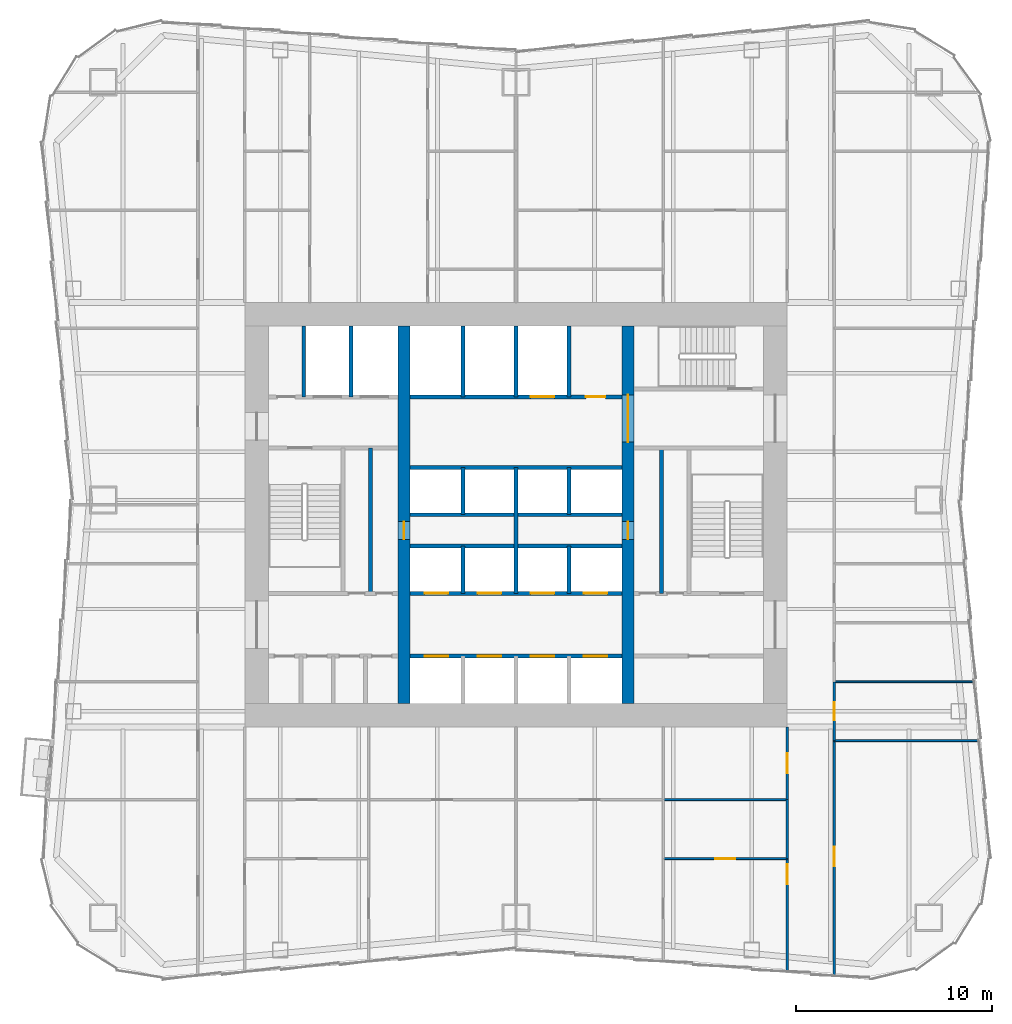
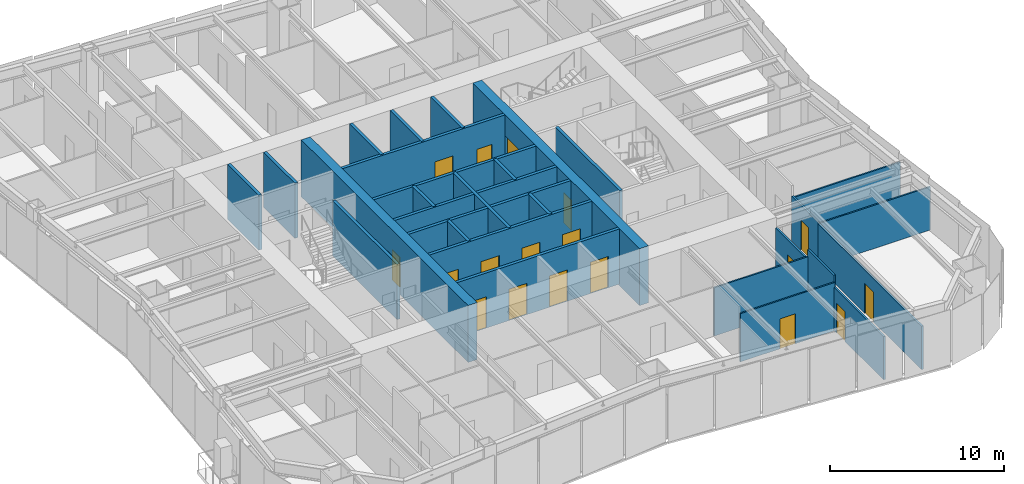
# One storey, part 5 of 9: 29 walls, 18 doors, 18 openings.
"""IFC4 building model written with IfcOpenShell, lengths in metres."""

from ifc_helpers import new_model, si_unit, direction, frame, frame_2d, origin, place, context, subcontext, project, spatial, rectangle, extrude, material, layer, layer_set, type_object, element, fill, save


model = new_model("IFC4")

# Units and contexts
model_context = context("Model", 3, precision=1e-05, world=origin(), true_north=direction((0.0, 1.0)))
body_context = subcontext(model_context, "Body", "Model", "MODEL_VIEW")
ifc_project = project(units=[si_unit("LENGTHUNIT", "METRE"), si_unit("AREAUNIT", "SQUARE_METRE"), si_unit("VOLUMEUNIT", "CUBIC_METRE"), si_unit("PLANEANGLEUNIT", "RADIAN"), si_unit("MASSUNIT", "GRAM", prefix="KILO")], contexts=[model_context])

# Site, building, storey
site_placement = place(None, origin())
site = spatial("IfcSite", under=ifc_project, at=site_placement, CompositionType="ELEMENT")
building_placement = place(site_placement, origin())
building = spatial("IfcBuilding", under=site, at=building_placement, Name="Verdant Reach Tower", CompositionType="ELEMENT")
storey_placement = place(building_placement, frame((0.0, 0.0, 78.0)))
storey = spatial("IfcBuildingStorey", under=building, at=storey_placement, Name="L17", CompositionType="ELEMENT", Elevation=78.0)

# Walls
ifc_material_1 = material(Name="Gypsum board on steel studs", Category="steel")
ifc_layer_1 = layer(ifc_material_1, 0.199951171875)
ifc_layer_set_1 = layer_set([ifc_layer_1], Name="CO-WALL-ROOM")
wall_type_1 = type_object("IfcWallType", Name="CO-WALL-ROOM", PredefinedType="PARTITIONING", material=ifc_layer_set_1)
for number, where, z_axis, x_axis, name in (
    (1, (-7.39990234375, 24.0, 0.0), (0.0, 0.0, 1.0), (0.0, 1.0, 0.0), "Core partition, L17"),
    (2, (7.39990234375, 24.0, 0.0), (0.0, 0.0, 1.0), (0.0, 1.0, 0.0), "Core partition, L17"),
):
    element("IfcWall", number, at=place(storey_placement, frame(where, z_axis=z_axis, x_axis=x_axis)), inside=storey, type_object=wall_type_1, Name=name, PredefinedType="PARTITIONING", context=body_context, shape_type="SweptSolid", body=[
        extrude(rectangle(XDim=7.39990234375, YDim=0.199951171875, at=frame_2d((3.699951171875, 0.0))), origin(), (0.0, 0.0, 1.0), 3.8701171875),
    ])

# Wall, openings, doors
ifc_material_2 = material(Name="Concrete C40/50", Category="concrete")
ifc_layer_2 = layer(ifc_material_2, 0.199951171875)
ifc_layer_set_2 = layer_set([ifc_layer_2], Name="CO-WALL-SHAFT")
wall_type_2 = type_object("IfcWallType", Name="CO-WALL-SHAFT", PredefinedType="PARTITIONING", material=ifc_layer_set_2)
wall_1_placement = place(storey_placement, frame((-5.39990234375, 20.800048828125, 0.0), z_axis=(0.0, 0.0, 1.0), x_axis=(1.0, 0.0, 0.0)))
wall_1 = element("IfcWall", 3, at=wall_1_placement, inside=storey, type_object=wall_type_2, Name="Lift shaft wall, L17", PredefinedType="PARTITIONING", context=body_context, shape_type="SweptSolid", body=[
    extrude(rectangle(XDim=10.7998046875, YDim=0.199951171875, at=frame_2d((5.39990234375, 0.0))), origin(), (0.0, 0.0, 1.0), 3.8701171875),
])
opening_1_placement = place(wall_1_placement, frame((0.75, 0.0, 0.0)))
opening_1 = element("IfcOpeningElement", 4, at=opening_1_placement, cuts=wall_1, Name="Opening LD-A1", PredefinedType="OPENING", context=body_context, shape_type="SweptSolid", body=[
    extrude(rectangle(XDim=1.199951171875, YDim=2.199951171875, at=frame_2d((0.60009765625, 1.10009765625))), frame((0.0, 0.10986328125, 0.0), z_axis=(0.0, -1.0, 0.0), x_axis=(1.0, 0.0, 0.0)), (0.0, 0.0, 1.0), 0.219970703125),
])
opening_2_placement = place(wall_1_placement, frame((3.449951171875, 0.0, 0.0)))
opening_2 = element("IfcOpeningElement", 5, at=opening_2_placement, cuts=wall_1, Name="Opening LD-A2", PredefinedType="OPENING", context=body_context, shape_type="SweptSolid", body=[
    extrude(rectangle(XDim=1.199951171875, YDim=2.199951171875, at=frame_2d((0.60009765625, 1.10009765625))), frame((0.0, 0.10986328125, 0.0), z_axis=(0.0, -1.0, 0.0), x_axis=(1.0, 0.0, 0.0)), (0.0, 0.0, 1.0), 0.219970703125),
])
opening_3_placement = place(wall_1_placement, frame((6.14990234375, 0.0, 0.0)))
opening_3 = element("IfcOpeningElement", 6, at=opening_3_placement, cuts=wall_1, Name="Opening LD-A3", PredefinedType="OPENING", context=body_context, shape_type="SweptSolid", body=[
    extrude(rectangle(XDim=1.199951171875, YDim=2.199951171875, at=frame_2d((0.60009765625, 1.10009765625))), frame((0.0, 0.10986328125, 0.0), z_axis=(0.0, -1.0, 0.0), x_axis=(1.0, 0.0, 0.0)), (0.0, 0.0, 1.0), 0.219970703125),
])
opening_4_placement = place(wall_1_placement, frame((8.85009765625, 0.0, 0.0)))
opening_4 = element("IfcOpeningElement", 7, at=opening_4_placement, cuts=wall_1, Name="Opening LD-A4", PredefinedType="OPENING", context=body_context, shape_type="SweptSolid", body=[
    extrude(rectangle(XDim=1.199951171875, YDim=2.199951171875, at=frame_2d((0.60009765625, 1.10009765625))), frame((0.0, 0.10986328125, 0.0), z_axis=(0.0, -1.0, 0.0), x_axis=(1.0, 0.0, 0.0)), (0.0, 0.0, 1.0), 0.219970703125),
])
ifc_material_3 = material(Name="Stainless steel", Category="steel")
door_type_1 = type_object("IfcDoorType", Name="CO-DOOR-LANDING", OperationType="SLIDING_TO_LEFT", PredefinedType="DOOR", material=ifc_material_3)
door_1_placement = place(opening_1_placement, origin())
door_1 = element("IfcDoor", 8, at=door_1_placement, inside=storey, type_object=door_type_1, Name="Landing door A1, L17", OperationType="SLIDING_TO_LEFT", OverallHeight=2.199951171875, OverallWidth=1.199951171875, PredefinedType="DOOR", context=body_context, shape_type="SweptSolid", body=[
    extrude(rectangle(XDim=1.199951171875, YDim=2.199951171875, at=frame_2d((0.60009765625, 1.10009765625))), frame((0.0, 0.02490234375, 0.0), z_axis=(0.0, -1.0, 0.0), x_axis=(1.0, 0.0, 0.0)), (0.0, 0.0, 1.0), 0.050048828125),
])
fill(opening_1, door_1)
door_2_placement = place(opening_2_placement, origin())
door_2 = element("IfcDoor", 9, at=door_2_placement, inside=storey, type_object=door_type_1, Name="Landing door A2, L17", OperationType="SLIDING_TO_LEFT", OverallHeight=2.199951171875, OverallWidth=1.199951171875, PredefinedType="DOOR", context=body_context, shape_type="SweptSolid", body=[
    extrude(rectangle(XDim=1.199951171875, YDim=2.199951171875, at=frame_2d((0.60009765625, 1.10009765625))), frame((0.0, 0.02490234375, 0.0), z_axis=(0.0, -1.0, 0.0), x_axis=(1.0, 0.0, 0.0)), (0.0, 0.0, 1.0), 0.050048828125),
])
fill(opening_2, door_2)
door_3_placement = place(opening_3_placement, origin())
door_3 = element("IfcDoor", 10, at=door_3_placement, inside=storey, type_object=door_type_1, Name="Landing door A3, L17", OperationType="SLIDING_TO_LEFT", OverallHeight=2.199951171875, OverallWidth=1.199951171875, PredefinedType="DOOR", context=body_context, shape_type="SweptSolid", body=[
    extrude(rectangle(XDim=1.199951171875, YDim=2.199951171875, at=frame_2d((0.60009765625, 1.10009765625))), frame((0.0, 0.02490234375, 0.0), z_axis=(0.0, -1.0, 0.0), x_axis=(1.0, 0.0, 0.0)), (0.0, 0.0, 1.0), 0.050048828125),
])
fill(opening_3, door_3)
door_4_placement = place(opening_4_placement, origin())
door_4 = element("IfcDoor", 11, at=door_4_placement, inside=storey, type_object=door_type_1, Name="Landing door A4, L17", OperationType="SLIDING_TO_LEFT", OverallHeight=2.199951171875, OverallWidth=1.199951171875, PredefinedType="DOOR", context=body_context, shape_type="SweptSolid", body=[
    extrude(rectangle(XDim=1.199951171875, YDim=2.199951171875, at=frame_2d((0.60009765625, 1.10009765625))), frame((0.0, 0.02490234375, 0.0), z_axis=(0.0, -1.0, 0.0), x_axis=(1.0, 0.0, 0.0)), (0.0, 0.0, 1.0), 0.050048828125),
])
fill(opening_4, door_4)

wall_2_placement = place(storey_placement, frame((-5.39990234375, 24.0, 0.0), z_axis=(0.0, 0.0, 1.0), x_axis=(1.0, 0.0, 0.0)))
wall_2 = element("IfcWall", 12, at=wall_2_placement, inside=storey, type_object=wall_type_2, Name="Lift shaft wall, L17", PredefinedType="PARTITIONING", context=body_context, shape_type="SweptSolid", body=[
    extrude(rectangle(XDim=10.7998046875, YDim=0.199951171875, at=frame_2d((5.39990234375, 0.0))), origin(), (0.0, 0.0, 1.0), 3.8701171875),
])
opening_5_placement = place(wall_2_placement, frame((0.75, 0.0, 0.0)))
opening_5 = element("IfcOpeningElement", 13, at=opening_5_placement, cuts=wall_2, Name="Opening LD-A5", PredefinedType="OPENING", context=body_context, shape_type="SweptSolid", body=[
    extrude(rectangle(XDim=1.199951171875, YDim=2.199951171875, at=frame_2d((0.60009765625, 1.10009765625))), frame((0.0, 0.10986328125, 0.0), z_axis=(0.0, -1.0, 0.0), x_axis=(1.0, 0.0, 0.0)), (0.0, 0.0, 1.0), 0.219970703125),
])
opening_6_placement = place(wall_2_placement, frame((3.449951171875, 0.0, 0.0)))
opening_6 = element("IfcOpeningElement", 14, at=opening_6_placement, cuts=wall_2, Name="Opening LD-A6", PredefinedType="OPENING", context=body_context, shape_type="SweptSolid", body=[
    extrude(rectangle(XDim=1.199951171875, YDim=2.199951171875, at=frame_2d((0.60009765625, 1.10009765625))), frame((0.0, 0.10986328125, 0.0), z_axis=(0.0, -1.0, 0.0), x_axis=(1.0, 0.0, 0.0)), (0.0, 0.0, 1.0), 0.219970703125),
])
opening_7_placement = place(wall_2_placement, frame((6.14990234375, 0.0, 0.0)))
opening_7 = element("IfcOpeningElement", 15, at=opening_7_placement, cuts=wall_2, Name="Opening LD-A7", PredefinedType="OPENING", context=body_context, shape_type="SweptSolid", body=[
    extrude(rectangle(XDim=1.199951171875, YDim=2.199951171875, at=frame_2d((0.60009765625, 1.10009765625))), frame((0.0, 0.10986328125, 0.0), z_axis=(0.0, -1.0, 0.0), x_axis=(1.0, 0.0, 0.0)), (0.0, 0.0, 1.0), 0.219970703125),
])
opening_8_placement = place(wall_2_placement, frame((8.85009765625, 0.0, 0.0)))
opening_8 = element("IfcOpeningElement", 16, at=opening_8_placement, cuts=wall_2, Name="Opening LD-A8", PredefinedType="OPENING", context=body_context, shape_type="SweptSolid", body=[
    extrude(rectangle(XDim=1.199951171875, YDim=2.199951171875, at=frame_2d((0.60009765625, 1.10009765625))), frame((0.0, 0.10986328125, 0.0), z_axis=(0.0, -1.0, 0.0), x_axis=(1.0, 0.0, 0.0)), (0.0, 0.0, 1.0), 0.219970703125),
])
door_5_placement = place(opening_5_placement, origin())
door_5 = element("IfcDoor", 17, at=door_5_placement, inside=storey, type_object=door_type_1, Name="Landing door A5, L17", OperationType="SLIDING_TO_LEFT", OverallHeight=2.199951171875, OverallWidth=1.199951171875, PredefinedType="DOOR", context=body_context, shape_type="SweptSolid", body=[
    extrude(rectangle(XDim=1.199951171875, YDim=2.199951171875, at=frame_2d((0.60009765625, 1.10009765625))), frame((0.0, 0.02490234375, 0.0), z_axis=(0.0, -1.0, 0.0), x_axis=(1.0, 0.0, 0.0)), (0.0, 0.0, 1.0), 0.050048828125),
])
fill(opening_5, door_5)
door_6_placement = place(opening_6_placement, origin())
door_6 = element("IfcDoor", 18, at=door_6_placement, inside=storey, type_object=door_type_1, Name="Landing door A6, L17", OperationType="SLIDING_TO_LEFT", OverallHeight=2.199951171875, OverallWidth=1.199951171875, PredefinedType="DOOR", context=body_context, shape_type="SweptSolid", body=[
    extrude(rectangle(XDim=1.199951171875, YDim=2.199951171875, at=frame_2d((0.60009765625, 1.10009765625))), frame((0.0, 0.02490234375, 0.0), z_axis=(0.0, -1.0, 0.0), x_axis=(1.0, 0.0, 0.0)), (0.0, 0.0, 1.0), 0.050048828125),
])
fill(opening_6, door_6)
door_7_placement = place(opening_7_placement, origin())
door_7 = element("IfcDoor", 19, at=door_7_placement, inside=storey, type_object=door_type_1, Name="Landing door A7, L17", OperationType="SLIDING_TO_LEFT", OverallHeight=2.199951171875, OverallWidth=1.199951171875, PredefinedType="DOOR", context=body_context, shape_type="SweptSolid", body=[
    extrude(rectangle(XDim=1.199951171875, YDim=2.199951171875, at=frame_2d((0.60009765625, 1.10009765625))), frame((0.0, 0.02490234375, 0.0), z_axis=(0.0, -1.0, 0.0), x_axis=(1.0, 0.0, 0.0)), (0.0, 0.0, 1.0), 0.050048828125),
])
fill(opening_7, door_7)
door_8_placement = place(opening_8_placement, origin())
door_8 = element("IfcDoor", 20, at=door_8_placement, inside=storey, type_object=door_type_1, Name="Landing door A8, L17", OperationType="SLIDING_TO_LEFT", OverallHeight=2.199951171875, OverallWidth=1.199951171875, PredefinedType="DOOR", context=body_context, shape_type="SweptSolid", body=[
    extrude(rectangle(XDim=1.199951171875, YDim=2.199951171875, at=frame_2d((0.60009765625, 1.10009765625))), frame((0.0, 0.02490234375, 0.0), z_axis=(0.0, -1.0, 0.0), x_axis=(1.0, 0.0, 0.0)), (0.0, 0.0, 1.0), 0.050048828125),
])
fill(opening_8, door_8)

# Walls
for number, where, z_axis, x_axis, name in (
    (21, (-5.39990234375, 26.39990234375, 0.0), (0.0, 0.0, 1.0), (1.0, 0.0, 0.0), "Lift shaft wall, L17"),
    (22, (-5.39990234375, 28.0, 0.0), (0.0, 0.0, 1.0), (1.0, 0.0, 0.0), "Lift shaft wall, L17"),
    (23, (-5.39990234375, 30.39990234375, 0.0), (0.0, 0.0, 1.0), (1.0, 0.0, 0.0), "Lift shaft wall, L17"),
):
    element("IfcWall", number, at=place(storey_placement, frame(where, z_axis=z_axis, x_axis=x_axis)), inside=storey, type_object=wall_type_2, Name=name, PredefinedType="PARTITIONING", context=body_context, shape_type="SweptSolid", body=[
        extrude(rectangle(XDim=10.7998046875, YDim=0.199951171875, at=frame_2d((5.39990234375, 0.0))), origin(), (0.0, 0.0, 1.0), 3.8701171875),
    ])

# Wall, openings, doors
wall_3_placement = place(storey_placement, frame((-5.39990234375, 34.0, 0.0), z_axis=(0.0, 0.0, 1.0), x_axis=(1.0, 0.0, 0.0)))
wall_3 = element("IfcWall", 24, at=wall_3_placement, inside=storey, type_object=wall_type_2, Name="Lift shaft wall, L17", PredefinedType="PARTITIONING", context=body_context, shape_type="SweptSolid", body=[
    extrude(rectangle(XDim=10.7998046875, YDim=0.199951171875, at=frame_2d((5.39990234375, 0.0))), origin(), (0.0, 0.0, 1.0), 3.8701171875),
])
opening_9_placement = place(wall_3_placement, frame((6.14990234375, 0.0, 0.0)))
opening_9 = element("IfcOpeningElement", 25, at=opening_9_placement, cuts=wall_3, Name="Opening LD-SL1", PredefinedType="OPENING", context=body_context, shape_type="SweptSolid", body=[
    extrude(rectangle(XDim=1.199951171875, YDim=2.199951171875, at=frame_2d((0.60009765625, 1.10009765625))), frame((0.0, 0.10986328125, 0.0), z_axis=(0.0, -1.0, 0.0), x_axis=(1.0, 0.0, 0.0)), (0.0, 0.0, 1.0), 0.219970703125),
])
opening_10_placement = place(wall_3_placement, frame((8.949951171875, 0.0, 0.0)))
opening_10 = element("IfcOpeningElement", 26, at=opening_10_placement, cuts=wall_3, Name="Opening CD", PredefinedType="OPENING", context=body_context, shape_type="SweptSolid", body=[
    extrude(rectangle(XDim=1.0, YDim=2.10009765625, at=frame_2d((0.5, 1.050048828125))), frame((0.0, 0.10986328125, 0.0), z_axis=(0.0, -1.0, 0.0), x_axis=(1.0, 0.0, 0.0)), (0.0, 0.0, 1.0), 0.219970703125),
])
door_9_placement = place(opening_9_placement, origin())
door_9 = element("IfcDoor", 27, at=door_9_placement, inside=storey, type_object=door_type_1, Name="Landing door SL1, L17", OperationType="SLIDING_TO_LEFT", OverallHeight=2.199951171875, OverallWidth=1.199951171875, PredefinedType="DOOR", context=body_context, shape_type="SweptSolid", body=[
    extrude(rectangle(XDim=1.199951171875, YDim=2.199951171875, at=frame_2d((0.60009765625, 1.10009765625))), frame((0.0, 0.02490234375, 0.0), z_axis=(0.0, -1.0, 0.0), x_axis=(1.0, 0.0, 0.0)), (0.0, 0.0, 1.0), 0.050048828125),
])
fill(opening_9, door_9)
ifc_material_4 = material(Name="Timber", Category="wood")
door_type_2 = type_object("IfcDoorType", Name="CO-DOOR-ROOM", OperationType="NOTDEFINED", PredefinedType="DOOR", material=ifc_material_4)
door_10_placement = place(opening_10_placement, origin())
door_10 = element("IfcDoor", 28, at=door_10_placement, inside=storey, type_object=door_type_2, Name="Core room door, L17", OperationType="SINGLE_SWING_LEFT", OverallHeight=2.10009765625, OverallWidth=1.0, PredefinedType="DOOR", context=body_context, shape_type="SweptSolid", body=[
    extrude(rectangle(XDim=1.0, YDim=2.10009765625, at=frame_2d((0.5, 1.050048828125))), frame((0.0, 0.02490234375, 0.0), z_axis=(0.0, -1.0, 0.0), x_axis=(1.0, 0.0, 0.0)), (0.0, 0.0, 1.0), 0.050048828125),
])
fill(opening_10, door_10)

# Walls
for number, where, z_axis, x_axis, name in (
    (29, (-10.800048828125, 34.0, 0.0), (0.0, 0.0, 1.0), (0.0, 1.0, 0.0), "Lift shaft wall, L17"),
    (30, (-8.39990234375, 34.0, 0.0), (0.0, 0.0, 1.0), (0.0, 1.0, 0.0), "Lift shaft wall, L17"),
):
    element("IfcWall", number, at=place(storey_placement, frame(where, z_axis=z_axis, x_axis=x_axis)), inside=storey, type_object=wall_type_2, Name=name, PredefinedType="PARTITIONING", context=body_context, shape_type="SweptSolid", body=[
        extrude(rectangle(XDim=3.60009765625, YDim=0.199951171875, at=frame_2d((1.800048828125, 0.0))), origin(), (0.0, 0.0, 1.0), 3.8701171875),
    ])
for number, where, z_axis, x_axis, name in (
    (31, (-2.699951171875, 24.0, 0.0), (0.0, 0.0, 1.0), (0.0, 1.0, 0.0), "Lift shaft wall, L17"),
    (32, (-2.699951171875, 28.0, 0.0), (0.0, 0.0, 1.0), (0.0, 1.0, 0.0), "Lift shaft wall, L17"),
):
    element("IfcWall", number, at=place(storey_placement, frame(where, z_axis=z_axis, x_axis=x_axis)), inside=storey, type_object=wall_type_2, Name=name, PredefinedType="PARTITIONING", context=body_context, shape_type="SweptSolid", body=[
        extrude(rectangle(XDim=2.39990234375, YDim=0.199951171875, at=frame_2d((1.199951171875, 0.0))), origin(), (0.0, 0.0, 1.0), 3.8701171875),
    ])
wall_4_placement = place(storey_placement, frame((-2.699951171875, 34.0, 0.0), z_axis=(0.0, 0.0, 1.0), x_axis=(0.0, 1.0, 0.0)))
element("IfcWall", 33, at=wall_4_placement, inside=storey, type_object=wall_type_2, Name="Lift shaft wall, L17", PredefinedType="PARTITIONING", context=body_context, shape_type="SweptSolid", body=[
    extrude(rectangle(XDim=3.60009765625, YDim=0.199951171875, at=frame_2d((1.800048828125, 0.0))), origin(), (0.0, 0.0, 1.0), 3.8701171875),
])
wall_5_placement = place(storey_placement, frame((0.0, 24.0, 0.0), z_axis=(0.0, 0.0, 1.0), x_axis=(0.0, 1.0, 0.0)))
element("IfcWall", 34, at=wall_5_placement, inside=storey, type_object=wall_type_2, Name="Lift shaft wall, L17", PredefinedType="PARTITIONING", context=body_context, shape_type="SweptSolid", body=[
    extrude(rectangle(XDim=6.39990234375, YDim=0.199951171875, at=frame_2d((3.199951171875, 0.0))), origin(), (0.0, 0.0, 1.0), 3.8701171875),
])
wall_6_placement = place(storey_placement, frame((0.0, 34.0, 0.0), z_axis=(0.0, 0.0, 1.0), x_axis=(0.0, 1.0, 0.0)))
element("IfcWall", 35, at=wall_6_placement, inside=storey, type_object=wall_type_2, Name="Lift shaft wall, L17", PredefinedType="PARTITIONING", context=body_context, shape_type="SweptSolid", body=[
    extrude(rectangle(XDim=3.60009765625, YDim=0.199951171875, at=frame_2d((1.800048828125, 0.0))), origin(), (0.0, 0.0, 1.0), 3.8701171875),
])
for number, where, z_axis, x_axis, name in (
    (36, (2.699951171875, 24.0, 0.0), (0.0, 0.0, 1.0), (0.0, 1.0, 0.0), "Lift shaft wall, L17"),
    (37, (2.699951171875, 28.0, 0.0), (0.0, 0.0, 1.0), (0.0, 1.0, 0.0), "Lift shaft wall, L17"),
):
    element("IfcWall", number, at=place(storey_placement, frame(where, z_axis=z_axis, x_axis=x_axis)), inside=storey, type_object=wall_type_2, Name=name, PredefinedType="PARTITIONING", context=body_context, shape_type="SweptSolid", body=[
        extrude(rectangle(XDim=2.39990234375, YDim=0.199951171875, at=frame_2d((1.199951171875, 0.0))), origin(), (0.0, 0.0, 1.0), 3.8701171875),
    ])
wall_7_placement = place(storey_placement, frame((2.699951171875, 34.0, 0.0), z_axis=(0.0, 0.0, 1.0), x_axis=(0.0, 1.0, 0.0)))
element("IfcWall", 38, at=wall_7_placement, inside=storey, type_object=wall_type_2, Name="Lift shaft wall, L17", PredefinedType="PARTITIONING", context=body_context, shape_type="SweptSolid", body=[
    extrude(rectangle(XDim=3.60009765625, YDim=0.199951171875, at=frame_2d((1.800048828125, 0.0))), origin(), (0.0, 0.0, 1.0), 3.8701171875),
])
ifc_layer_3 = layer(ifc_material_1, 0.10009765625)
ifc_layer_set_3 = layer_set([ifc_layer_3], Name="FL-W1 Partition 100")
wall_type_3 = type_object("IfcWallType", Name="FL-W1 Partition 100", PredefinedType="PARTITIONING", material=ifc_layer_set_3)
wall_8_placement = place(storey_placement, frame((23.5869140625, 16.5, 0.0), z_axis=(0.0, 0.0, 1.0), x_axis=(-1.0, 0.0, 0.0)))
element("IfcWall", 39, at=wall_8_placement, inside=storey, type_object=wall_type_3, Name="Partition 17.36", PredefinedType="PARTITIONING", context=body_context, shape_type="SweptSolid", body=[
    extrude(rectangle(XDim=7.386962890625, YDim=0.10009765625, at=frame_2d((3.693359375, 0.0))), origin(), (0.0, 0.0, 1.0), 3.0400390625),
])
wall_9_placement = place(storey_placement, frame((23.34033203125, 19.5, 0.0), z_axis=(0.0, 0.0, 1.0), x_axis=(-1.0, 0.0, 0.0)))
element("IfcWall", 40, at=wall_9_placement, inside=storey, type_object=wall_type_3, Name="Partition 17.37", PredefinedType="PARTITIONING", context=body_context, shape_type="SweptSolid", body=[
    extrude(rectangle(XDim=7.140380859375, YDim=0.10009765625, at=frame_2d((3.5703125, 0.0))), origin(), (0.0, 0.0, 1.0), 3.0400390625),
])

# Wall, opening, door
wall_10_placement = place(storey_placement, frame((7.5, 10.5, 0.0), z_axis=(0.0, 0.0, 1.0), x_axis=(1.0, 0.0, 0.0)))
wall_10 = element("IfcWall", 41, at=wall_10_placement, inside=storey, type_object=wall_type_3, Name="Partition 17.51", PredefinedType="PARTITIONING", context=body_context, shape_type="SweptSolid", body=[
    extrude(rectangle(XDim=6.300048828125, YDim=0.10009765625, at=frame_2d((3.14990234375, 0.0))), origin(), (0.0, 0.0, 1.0), 3.389892578125),
])
opening_11_placement = place(wall_10_placement, frame((2.64990234375, 0.0, 0.0)))
opening_11 = element("IfcOpeningElement", 42, at=opening_11_placement, cuts=wall_10, Name="Opening D3", PredefinedType="OPENING", context=body_context, shape_type="SweptSolid", body=[
    extrude(rectangle(XDim=1.0, YDim=2.10009765625, at=frame_2d((0.5, 1.050048828125))), frame((0.0, 0.06005859375, 0.0), z_axis=(0.0, -1.0, 0.0), x_axis=(1.0, 0.0, 0.0)), (0.0, 0.0, 1.0), 0.1201171875),
])
ifc_material_5 = material(Name="Painted timber door leaf", Category="wood")
door_type_3 = type_object("IfcDoorType", Name="FL-D3 Door 1000x2100", OperationType="NOTDEFINED", PredefinedType="DOOR", material=ifc_material_5)
door_11_placement = place(opening_11_placement, origin())
door_11 = element("IfcDoor", 43, at=door_11_placement, inside=storey, type_object=door_type_3, Name="Door 17-027", OperationType="SINGLE_SWING_LEFT", OverallHeight=2.10009765625, OverallWidth=1.0, PredefinedType="DOOR", context=body_context, shape_type="SweptSolid", body=[
    extrude(rectangle(XDim=1.0, YDim=2.10009765625, at=frame_2d((0.5, 1.050048828125))), frame((0.0, 0.02490234375, 0.0), z_axis=(0.0, -1.0, 0.0), x_axis=(1.0, 0.0, 0.0)), (0.0, 0.0, 1.0), 0.050048828125),
])
fill(opening_11, door_11)

# Wall
wall_11_placement = place(storey_placement, frame((13.800048828125, 13.5, 0.0), z_axis=(0.0, 0.0, 1.0), x_axis=(-1.0, 0.0, 0.0)))
element("IfcWall", 44, at=wall_11_placement, inside=storey, type_object=wall_type_3, Name="Partition 17.53", PredefinedType="PARTITIONING", context=body_context, shape_type="SweptSolid", body=[
    extrude(rectangle(XDim=6.300048828125, YDim=0.10009765625, at=frame_2d((3.14990234375, 0.0))), origin(), (0.0, 0.0, 1.0), 3.389892578125),
])

# Wall, opening, door
ifc_material_6 = material(Name="Gypsum board on steel studs, fire rated", Category="steel")
ifc_layer_4 = layer(ifc_material_6, 0.125)
ifc_layer_set_4 = layer_set([ifc_layer_4], Name="FL-W2 Corridor wall 125")
wall_type_4 = type_object("IfcWallType", Name="FL-W2 Corridor wall 125", PredefinedType="PARTITIONING", material=ifc_layer_set_4)
wall_12_placement = place(storey_placement, frame((16.199951171875, 16.5, 0.0), z_axis=(0.0, 0.0, 1.0), x_axis=(0.0, -1.0, 0.0)))
wall_12 = element("IfcWall", 45, at=wall_12_placement, inside=storey, type_object=wall_type_4, Name="Partition 17.15", PredefinedType="PARTITIONING", context=body_context, shape_type="SweptSolid", body=[
    extrude(rectangle(XDim=11.929931640625, YDim=0.125, at=frame_2d((5.96484375, 0.0))), origin(), (0.0, 0.0, 1.0), 3.0400390625),
])
opening_12_placement = place(wall_12_placement, frame((5.39990234375, 0.0, 0.0)))
opening_12 = element("IfcOpeningElement", 46, at=opening_12_placement, cuts=wall_12, Name="Opening D2", PredefinedType="OPENING", context=body_context, shape_type="SweptSolid", body=[
    extrude(rectangle(XDim=1.0, YDim=2.10009765625, at=frame_2d((0.5, 1.050048828125))), frame((0.0, 0.072509765625, 0.0), z_axis=(0.0, -1.0, 0.0), x_axis=(1.0, 0.0, 0.0)), (0.0, 0.0, 1.0), 0.14501953125),
])
ifc_material_7 = material(Name="Timber door leaf, fire rated", Category="wood")
door_type_4 = type_object("IfcDoorType", Name="FL-D2 Entrance door 1000x2100 FD30", OperationType="NOTDEFINED", PredefinedType="DOOR", material=ifc_material_7)
door_12_placement = place(opening_12_placement, origin())
door_12 = element("IfcDoor", 47, at=door_12_placement, inside=storey, type_object=door_type_4, Name="Door 17-011", OperationType="SINGLE_SWING_LEFT", OverallHeight=2.10009765625, OverallWidth=1.0, PredefinedType="DOOR", context=body_context, shape_type="SweptSolid", body=[
    extrude(rectangle(XDim=1.0, YDim=2.10009765625, at=frame_2d((0.5, 1.050048828125))), frame((0.0, 0.02490234375, 0.0), z_axis=(0.0, -1.0, 0.0), x_axis=(1.0, 0.0, 0.0)), (0.0, 0.0, 1.0), 0.050048828125),
])
fill(opening_12, door_12)

wall_13_placement = place(storey_placement, frame((16.199951171875, 19.5, 0.0), z_axis=(0.0, 0.0, 1.0), x_axis=(0.0, -1.0, 0.0)))
wall_13 = element("IfcWall", 48, at=wall_13_placement, inside=storey, type_object=wall_type_4, Name="Partition 17.16", PredefinedType="PARTITIONING", context=body_context, shape_type="SweptSolid", body=[
    extrude(rectangle(XDim=3.0, YDim=0.125, at=frame_2d((1.5, 0.0))), origin(), (0.0, 0.0, 1.0), 3.139892578125),
])
opening_13_placement = place(wall_13_placement, frame((1.050048828125, 0.0, 0.0)))
opening_13 = element("IfcOpeningElement", 49, at=opening_13_placement, cuts=wall_13, Name="Opening D1", PredefinedType="OPENING", context=body_context, shape_type="SweptSolid", body=[
    extrude(rectangle(XDim=0.89990234375, YDim=2.10009765625, at=frame_2d((0.449951171875, 1.050048828125))), frame((0.0, 0.072509765625, 0.0), z_axis=(0.0, -1.0, 0.0), x_axis=(1.0, 0.0, 0.0)), (0.0, 0.0, 1.0), 0.14501953125),
])
door_type_5 = type_object("IfcDoorType", Name="FL-D1 Door 900x2100", OperationType="NOTDEFINED", PredefinedType="DOOR", material=ifc_material_5)
door_13_placement = place(opening_13_placement, origin())
door_13 = element("IfcDoor", 50, at=door_13_placement, inside=storey, type_object=door_type_5, Name="Door 17-012", OperationType="SINGLE_SWING_RIGHT", OverallHeight=2.10009765625, OverallWidth=0.89990234375, PredefinedType="DOOR", context=body_context, shape_type="SweptSolid", body=[
    extrude(rectangle(XDim=0.89990234375, YDim=2.10009765625, at=frame_2d((0.449951171875, 1.050048828125))), frame((0.0, 0.02490234375, 0.0), z_axis=(0.0, -1.0, 0.0), x_axis=(1.0, 0.0, 0.0)), (0.0, 0.0, 1.0), 0.050048828125),
])
fill(opening_13, door_13)

wall_14_placement = place(storey_placement, frame((13.800048828125, 4.77001953125, 0.0), z_axis=(0.0, 0.0, 1.0), x_axis=(0.0, 1.0, 0.0)))
wall_14 = element("IfcWall", 51, at=wall_14_placement, inside=storey, type_object=wall_type_4, Name="Partition 17.23", PredefinedType="PARTITIONING", context=body_context, shape_type="SweptSolid", body=[
    extrude(rectangle(XDim=5.72998046875, YDim=0.125, at=frame_2d((2.864990234375, 0.0))), origin(), (0.0, 0.0, 1.0), 3.0400390625),
])
opening_14_placement = place(wall_14_placement, frame((4.43017578125, 0.0, 0.0)))
opening_14 = element("IfcOpeningElement", 52, at=opening_14_placement, cuts=wall_14, Name="Opening D2", PredefinedType="OPENING", context=body_context, shape_type="SweptSolid", body=[
    extrude(rectangle(XDim=1.0, YDim=2.10009765625, at=frame_2d((0.5, 1.050048828125))), frame((0.0, 0.072509765625, 0.0), z_axis=(0.0, -1.0, 0.0), x_axis=(1.0, 0.0, 0.0)), (0.0, 0.0, 1.0), 0.14501953125),
])
door_14_placement = place(opening_14_placement, origin())
door_14 = element("IfcDoor", 53, at=door_14_placement, inside=storey, type_object=door_type_4, Name="Door 17-019", OperationType="SINGLE_SWING_RIGHT", OverallHeight=2.10009765625, OverallWidth=1.0, PredefinedType="DOOR", context=body_context, shape_type="SweptSolid", body=[
    extrude(rectangle(XDim=1.0, YDim=2.10009765625, at=frame_2d((0.5, 1.050048828125))), frame((0.0, 0.02490234375, 0.0), z_axis=(0.0, -1.0, 0.0), x_axis=(1.0, 0.0, 0.0)), (0.0, 0.0, 1.0), 0.050048828125),
])
fill(opening_14, door_14)

# Wall
wall_15_placement = place(storey_placement, frame((13.800048828125, 13.5, 0.0), z_axis=(0.0, 0.0, 1.0), x_axis=(0.0, -1.0, 0.0)))
element("IfcWall", 54, at=wall_15_placement, inside=storey, type_object=wall_type_4, Name="Partition 17.24", PredefinedType="PARTITIONING", context=body_context, shape_type="SweptSolid", body=[
    extrude(rectangle(XDim=3.0, YDim=0.125, at=frame_2d((1.5, 0.0))), origin(), (0.0, 0.0, 1.0), 3.8701171875),
])

# Wall, opening, door
wall_16_placement = place(storey_placement, frame((13.800048828125, 13.5, 0.0), z_axis=(0.0, 0.0, 1.0), x_axis=(0.0, 1.0, 0.0)))
wall_16 = element("IfcWall", 55, at=wall_16_placement, inside=storey, type_object=wall_type_4, Name="Partition 17.25", PredefinedType="PARTITIONING", context=body_context, shape_type="SweptSolid", body=[
    extrude(rectangle(XDim=3.699951171875, YDim=0.125, at=frame_2d((1.85009765625, 0.0))), origin(), (0.0, 0.0, 1.0), 3.139892578125),
])
opening_15_placement = place(wall_16_placement, frame((1.35009765625, 0.0, 0.0)))
opening_15 = element("IfcOpeningElement", 56, at=opening_15_placement, cuts=wall_16, Name="Opening D2", PredefinedType="OPENING", context=body_context, shape_type="SweptSolid", body=[
    extrude(rectangle(XDim=1.0, YDim=2.10009765625, at=frame_2d((0.5, 1.050048828125))), frame((0.0, 0.072509765625, 0.0), z_axis=(0.0, -1.0, 0.0), x_axis=(1.0, 0.0, 0.0)), (0.0, 0.0, 1.0), 0.14501953125),
])
door_15_placement = place(opening_15_placement, origin())
door_15 = element("IfcDoor", 57, at=door_15_placement, inside=storey, type_object=door_type_4, Name="Door 17-020", OperationType="SINGLE_SWING_RIGHT", OverallHeight=2.10009765625, OverallWidth=1.0, PredefinedType="DOOR", context=body_context, shape_type="SweptSolid", body=[
    extrude(rectangle(XDim=1.0, YDim=2.10009765625, at=frame_2d((0.5, 1.050048828125))), frame((0.0, 0.02490234375, 0.0), z_axis=(0.0, -1.0, 0.0), x_axis=(1.0, 0.0, 0.0)), (0.0, 0.0, 1.0), 0.050048828125),
])
fill(opening_15, door_15)

ifc_material_8 = material(Name="Concrete C70/85", Category="concrete")
ifc_layer_5 = layer(ifc_material_8, 0.60009765625)
ifc_layer_set_5 = layer_set([ifc_layer_5], Name="ST-CORE-WALL-600")
wall_type_5 = type_object("IfcWallType", Name="ST-CORE-WALL-600", PredefinedType="SHEAR", material=ifc_layer_set_5)
wall_17_placement = place(storey_placement, frame((-5.699951171875, 18.39990234375, -0.1298828125), z_axis=(0.0, 0.0, 1.0), x_axis=(0.0, 1.0, 0.0)))
wall_17 = element("IfcWall", 58, at=wall_17_placement, inside=storey, type_object=wall_type_5, Name="Core wall XW, L17", PredefinedType="SHEAR", context=body_context, shape_type="SweptSolid", body=[
    extrude(rectangle(XDim=19.2001953125, YDim=0.60009765625, at=frame_2d((9.60009765625, 0.0))), origin(), (0.0, 0.0, 1.0), 4.0),
])
opening_16_placement = place(wall_17_placement, frame((8.35009765625, 0.0, 0.1298828125)))
opening_16 = element("IfcOpeningElement", 59, at=opening_16_placement, cuts=wall_17, Name="Opening RD", PredefinedType="OPENING", context=body_context, shape_type="SweptSolid", body=[
    extrude(rectangle(XDim=0.89990234375, YDim=2.10009765625, at=frame_2d((0.449951171875, 1.050048828125))), frame((0.0, 0.31005859375, 0.0), z_axis=(0.0, -1.0, 0.0), x_axis=(1.0, 0.0, 0.0)), (0.0, 0.0, 1.0), 0.6201171875),
])
ifc_material_9 = material(Name="Steel", Category="steel")
door_type_6 = type_object("IfcDoorType", Name="CO-DOOR-RISER", OperationType="NOTDEFINED", PredefinedType="DOOR", material=ifc_material_9)
door_16_placement = place(opening_16_placement, origin())
door_16 = element("IfcDoor", 60, at=door_16_placement, inside=storey, type_object=door_type_6, Name="Riser door, L17", OperationType="SINGLE_SWING_LEFT", OverallHeight=2.10009765625, OverallWidth=0.89990234375, PredefinedType="DOOR", context=body_context, shape_type="SweptSolid", body=[
    extrude(rectangle(XDim=0.89990234375, YDim=2.10009765625, at=frame_2d((0.449951171875, 1.050048828125))), frame((0.0, 0.02490234375, 0.0), z_axis=(0.0, -1.0, 0.0), x_axis=(1.0, 0.0, 0.0)), (0.0, 0.0, 1.0), 0.050048828125),
])
fill(opening_16, door_16)

# Wall, openings, doors
wall_18_placement = place(storey_placement, frame((5.699951171875, 18.39990234375, -0.1298828125), z_axis=(0.0, 0.0, 1.0), x_axis=(0.0, 1.0, 0.0)))
wall_18 = element("IfcWall", 61, at=wall_18_placement, inside=storey, type_object=wall_type_5, Name="Core wall XE, L17", PredefinedType="SHEAR", context=body_context, shape_type="SweptSolid", body=[
    extrude(rectangle(XDim=19.2001953125, YDim=0.60009765625, at=frame_2d((9.60009765625, 0.0))), origin(), (0.0, 0.0, 1.0), 4.0),
])
opening_17_placement = place(wall_18_placement, frame((8.35009765625, 0.0, 0.1298828125)))
opening_17 = element("IfcOpeningElement", 62, at=opening_17_placement, cuts=wall_18, Name="Opening RD", PredefinedType="OPENING", context=body_context, shape_type="SweptSolid", body=[
    extrude(rectangle(XDim=0.89990234375, YDim=2.10009765625, at=frame_2d((0.449951171875, 1.050048828125))), frame((0.0, 0.31005859375, 0.0), z_axis=(0.0, -1.0, 0.0), x_axis=(1.0, 0.0, 0.0)), (0.0, 0.0, 1.0), 0.6201171875),
])
opening_18_placement = place(wall_18_placement, frame((13.300048828125, 0.0, 0.1298828125)))
opening_18 = element("IfcOpeningElement", 63, at=opening_18_placement, cuts=wall_18, Name="Opening LB", PredefinedType="OPENING", context=body_context, shape_type="SweptSolid", body=[
    extrude(rectangle(XDim=2.39990234375, YDim=2.39990234375, at=frame_2d((1.199951171875, 1.199951171875))), frame((0.0, 0.31005859375, 0.0), z_axis=(0.0, -1.0, 0.0), x_axis=(1.0, 0.0, 0.0)), (0.0, 0.0, 1.0), 0.6201171875),
])
ifc_material_10 = material(Name="Glass and steel", Category="steel")
door_type_7 = type_object("IfcDoorType", Name="CO-DOOR-LOBBY", OperationType="DOUBLE_DOOR_SINGLE_SWING", PredefinedType="DOOR", material=ifc_material_10)
door_17_placement = place(opening_18_placement, origin())
door_17 = element("IfcDoor", 64, at=door_17_placement, inside=storey, type_object=door_type_7, Name="Core entrance door, L17", OperationType="DOUBLE_DOOR_SINGLE_SWING", OverallHeight=2.39990234375, OverallWidth=2.39990234375, PredefinedType="DOOR", context=body_context, shape_type="SweptSolid", body=[
    extrude(rectangle(XDim=2.39990234375, YDim=2.39990234375, at=frame_2d((1.199951171875, 1.199951171875))), frame((0.0, 0.02490234375, 0.0), z_axis=(0.0, -1.0, 0.0), x_axis=(1.0, 0.0, 0.0)), (0.0, 0.0, 1.0), 0.050048828125),
])
fill(opening_18, door_17)
door_18_placement = place(opening_17_placement, origin())
door_18 = element("IfcDoor", 65, at=door_18_placement, inside=storey, type_object=door_type_6, Name="Riser door, L17", OperationType="SINGLE_SWING_RIGHT", OverallHeight=2.10009765625, OverallWidth=0.89990234375, PredefinedType="DOOR", context=body_context, shape_type="SweptSolid", body=[
    extrude(rectangle(XDim=0.89990234375, YDim=2.10009765625, at=frame_2d((0.449951171875, 1.050048828125))), frame((0.0, 0.02490234375, 0.0), z_axis=(0.0, -1.0, 0.0), x_axis=(1.0, 0.0, 0.0)), (0.0, 0.0, 1.0), 0.050048828125),
])
fill(opening_17, door_18)

save(model, "model.ifc")
